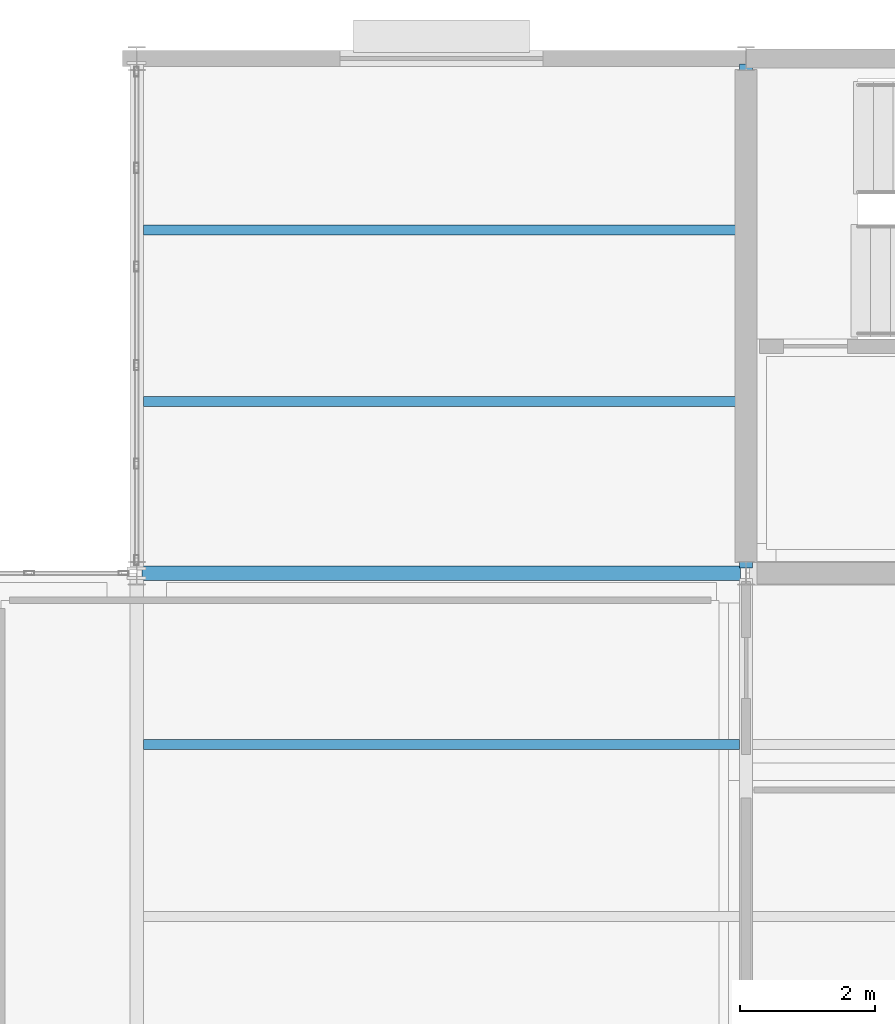
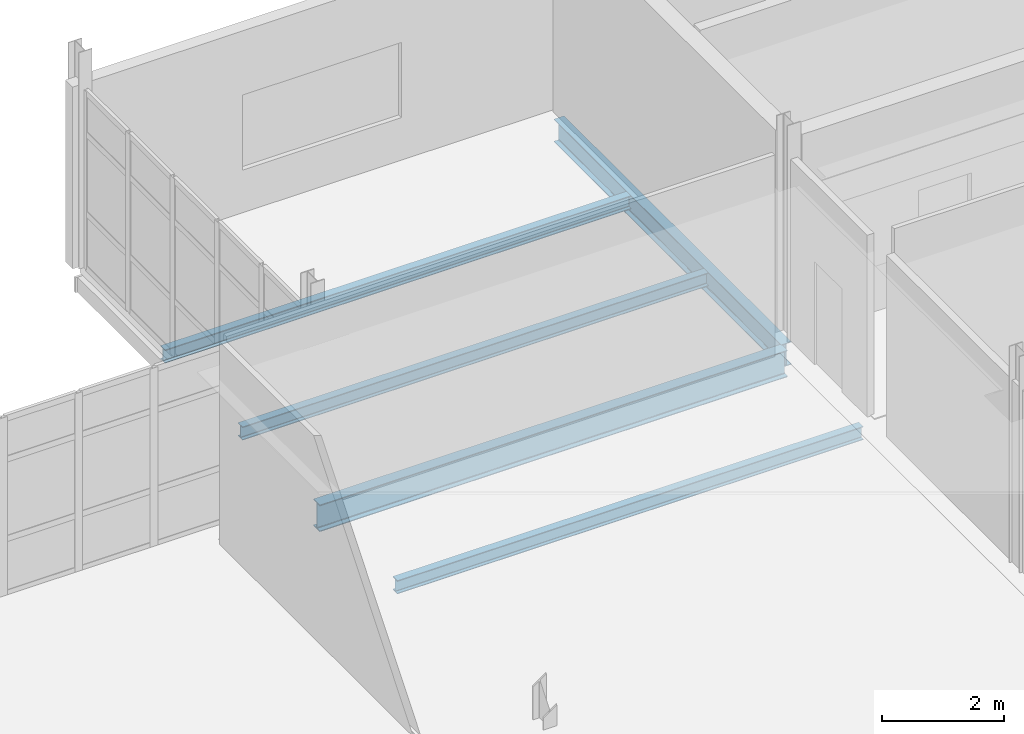
# One storey, part 108 of 174: 5 beams.
"""IFC4 building model written with IfcOpenShell, lengths in metres."""

from ifc_helpers import new_model, si_unit, direction, frame, origin, origin_2d, place, context, subcontext, project, spatial, i_section, extrude, material, material_profile, profile_set, type_object, element, save


model = new_model("IFC4")

# Units and contexts
model_context = context("Model", 3, precision=1e-05, world=origin(), true_north=direction((0.0, 1.0)))
body_context = subcontext(model_context, "Body", "Model", "MODEL_VIEW")
ifc_project = project(units=[si_unit("LENGTHUNIT", "METRE"), si_unit("AREAUNIT", "SQUARE_METRE"), si_unit("VOLUMEUNIT", "CUBIC_METRE"), si_unit("PLANEANGLEUNIT", "RADIAN"), si_unit("MASSUNIT", "GRAM", prefix="KILO")], contexts=[model_context])

# Site, building, storey
site_placement = place(None, origin())
site = spatial("IfcSite", under=ifc_project, at=site_placement, CompositionType="ELEMENT")
building_placement = place(site_placement, origin())
building = spatial("IfcBuilding", under=site, at=building_placement, Name="Caisbarro Railhouse Central Library", CompositionType="ELEMENT")
storey_placement = place(building_placement, frame((0.0, 0.0, 5.0400390625)))
storey = spatial("IfcBuildingStorey", under=building, at=storey_placement, Name="L01", CompositionType="ELEMENT", Elevation=5.0400390625)

# Beams
ifc_material = material(Name="Steel ASTM A572 Grade 50", Category="steel")
ifc_material_profile_1 = material_profile(ifc_material, i_section(OverallWidth=0.208984375, OverallDepth=0.532958984375, WebThickness=0.01025390625, FlangeThickness=0.015625, FilletRadius=0.02001953125, at=origin_2d()), Name="W530X92.0")
ifc_profile_set_1 = profile_set([ifc_material_profile_1], Name="Steel ASTM A572 Grade 50")
beam_type_1 = type_object("IfcBeamType", Name="BM-G06", PredefinedType="BEAM", material=ifc_profile_set_1)
beam_1_placement = place(storey_placement, frame((117.080078125, 106.39990234375, -0.486572265625), z_axis=(1.0, 0.0, 0.0), x_axis=(0.0, 1.0, 0.0)))
element("IfcBeam", 1, at=beam_1_placement, inside=storey, type_object=beam_type_1, Name="G06 beam L01 #923", PredefinedType="BEAM", context=body_context, shape_type="SweptSolid", body=[
    extrude(i_section(OverallWidth=0.208984375, OverallDepth=0.532958984375, WebThickness=0.01025390625, FlangeThickness=0.015625, FilletRadius=0.02001953125, at=origin_2d()), origin(), (0.0, 0.0, 1.0), 8.83984375),
])
ifc_material_profile_2 = material_profile(ifc_material, i_section(OverallWidth=0.18994140625, OverallDepth=0.45703125, WebThickness=0.009033203125, FlangeThickness=0.014404296875, FilletRadius=0.01806640625, at=origin_2d()), Name="W460X74.0")
ifc_profile_set_2 = profile_set([ifc_material_profile_2], Name="Steel ASTM A572 Grade 50")
beam_type_2 = type_object("IfcBeamType", Name="BM-G08", PredefinedType="BEAM", material=ifc_profile_set_2)
beam_2_placement = place(storey_placement, frame((126.0, 106.47998046875, -0.448486328125), z_axis=(0.0, 1.0, 0.0), x_axis=(-1.0, 0.0, 0.0)))
element("IfcBeam", 2, at=beam_2_placement, inside=storey, type_object=beam_type_2, Name="G08 beam L01 #944", PredefinedType="BEAM", context=body_context, shape_type="SweptSolid", body=[
    extrude(i_section(OverallWidth=0.18994140625, OverallDepth=0.45703125, WebThickness=0.009033203125, FlangeThickness=0.014404296875, FilletRadius=0.01806640625, at=origin_2d()), origin(), (0.0, 0.0, 1.0), 7.43994140625),
])
ifc_material_profile_3 = material_profile(ifc_material, i_section(OverallWidth=0.14794921875, OverallDepth=0.26611328125, WebThickness=0.007568359375, FlangeThickness=0.012939453125, FilletRadius=0.010009765625, at=origin_2d()), Name="W250X44.8")
ifc_profile_set_3 = profile_set([ifc_material_profile_3], Name="Steel ASTM A572 Grade 50")
beam_type_3 = type_object("IfcBeamType", Name="BM-J04", PredefinedType="JOIST", material=ifc_profile_set_3)
for number, where, z_axis, x_axis, name in (
    (3, (117.10009765625, 103.86669921875, -0.35302734375), (1.0, 0.0, 0.0), (0.0, 1.0, 0.0), "J04 beam L01 #975"),
    (4, (117.10009765625, 108.933349609375, -0.35302734375), (1.0, 0.0, 0.0), (0.0, 1.0, 0.0), "J04 beam L01 #976"),
    (5, (117.10009765625, 111.466796875, -0.35302734375), (1.0, 0.0, 0.0), (0.0, 1.0, 0.0), "J04 beam L01 #977"),
):
    element("IfcBeam", number, at=place(storey_placement, frame(where, z_axis=z_axis, x_axis=x_axis)), inside=storey, type_object=beam_type_3, Name=name, PredefinedType="JOIST", context=body_context, shape_type="SweptSolid", body=[
        extrude(i_section(OverallWidth=0.14794921875, OverallDepth=0.26611328125, WebThickness=0.007568359375, FlangeThickness=0.012939453125, FilletRadius=0.010009765625, at=origin_2d()), origin(), (0.0, 0.0, 1.0), 8.804931640625),
    ])

save(model, "model.ifc")
